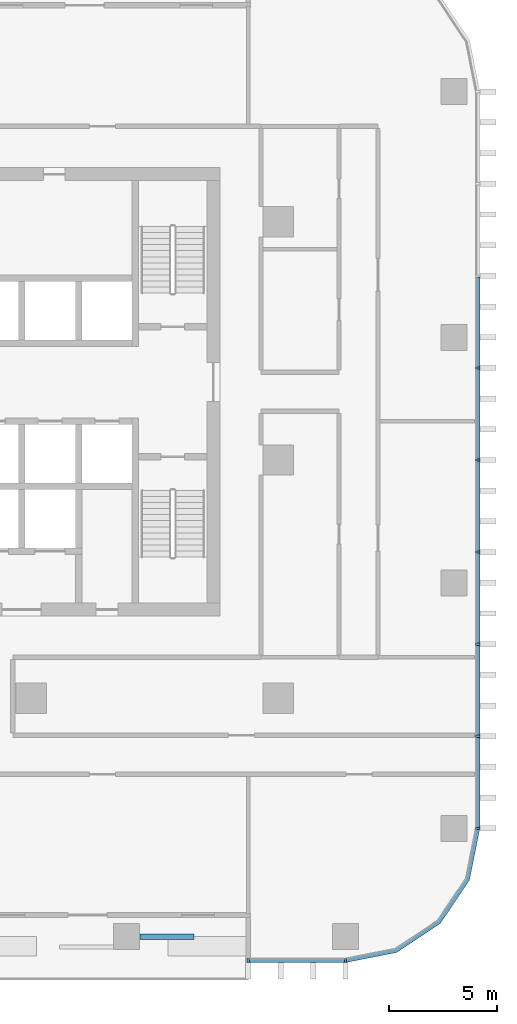
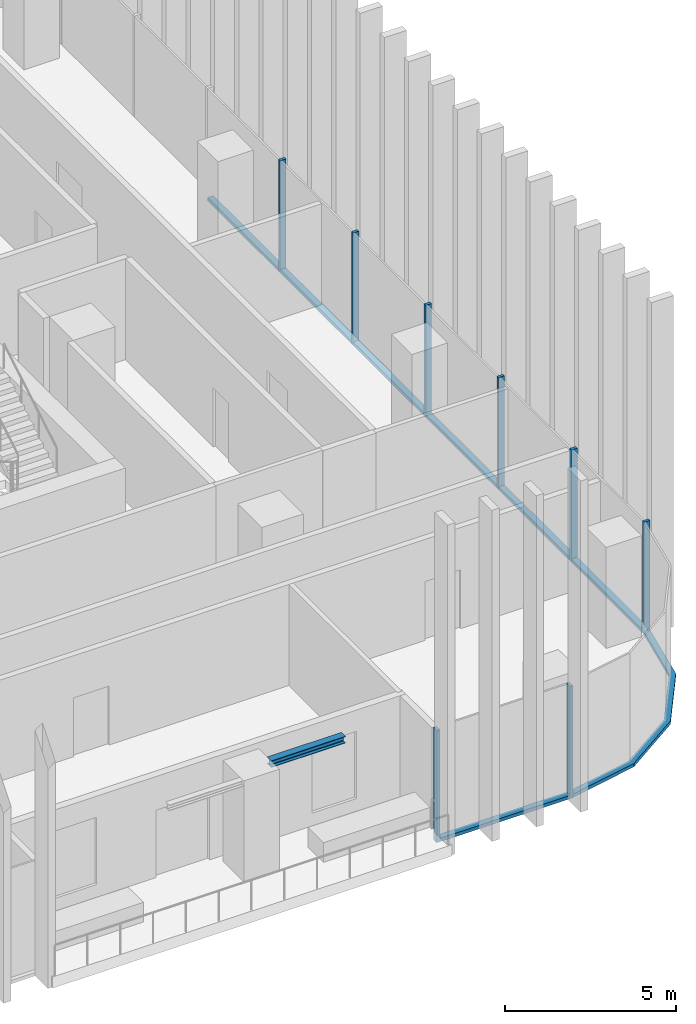
# One storey, part 3 of 16: 16 members, 1 beam, 3 elements without a shape of their own.
"""IFC4 building model written with IfcOpenShell, lengths in metres."""

import ifcopenshell
import ifcopenshell.guid

model = None  # the IFC model being written
_history = None  # IfcOwnerHistory: only IFC2X3 demands one
_inside = {}  # id of a spatial element -> (the spatial element, [elements in it])
_under = {}  # id of a project, library or spatial element -> (it, [spatial elements below it])
_declared = {}  # id of a project -> (the project, [libraries it declares])
_typed = {}  # id of a type object -> (the type object, [elements of that type])
_made_of = {}  # id of a material, layer set ... -> (it, [elements and type objects made of it])


def new_model(schema):
    """Start an empty IFC model of exactly this schema.

    Asked for "IFC4X3", IfcOpenShell would pick the latest addendum, in which some entities
    have other attributes; the version numbers below select the first issue.
    IFC2X3 requires an IfcOwnerHistory on every rooted entity: one is made here for all.
    """
    global model, _history
    if schema == "IFC4X3":
        model = ifcopenshell.file(schema_version=(4, 3, 0, 0))
    else:
        model = ifcopenshell.file(schema=schema)
    _inside.clear()
    _under.clear()
    _declared.clear()
    _typed.clear()
    _made_of.clear()
    _history = None
    if model.schema == "IFC2X3":
        org = make("IfcOrganization", Name="unknown")
        user = make(
            "IfcPersonAndOrganization",
            ThePerson=make("IfcPerson", FamilyName="unknown"),
            TheOrganization=org,
        )
        app = make(
            "IfcApplication",
            ApplicationDeveloper=org,
            Version="unknown",
            ApplicationFullName="unknown",
            ApplicationIdentifier="unknown",
        )
        _history = make(
            "IfcOwnerHistory",
            OwningUser=user,
            OwningApplication=app,
            ChangeAction="ADDED",
            CreationDate=0,
        )
    return model


def make(cls, **values):
    """One entity of the class cls with the attributes given. An attribute that is None is left unset."""
    return model.create_entity(
        cls, **{name: value for name, value in values.items() if value is not None}
    )


def rooted(cls, **values):
    """An entity with a GlobalId (a new one), such as an element, a storey or a relation."""
    return make(cls, GlobalId=ifcopenshell.guid.new(), OwnerHistory=_history, **values)


def si_unit(unit_type, name, prefix=None):
    """IfcSIUnit, for example si_unit("LENGTHUNIT", "METRE", prefix="MILLI")."""
    return make("IfcSIUnit", UnitType=unit_type, Prefix=prefix, Name=name)


def assignment(units):
    """IfcUnitAssignment: the units of a project."""
    return None if units is None else make("IfcUnitAssignment", Units=units)


def point(xyz):
    """IfcCartesianPoint."""
    return None if xyz is None else make("IfcCartesianPoint", Coordinates=xyz)


def direction(xyz):
    """IfcDirection."""
    return None if xyz is None else make("IfcDirection", DirectionRatios=xyz)


def frame(location, z_axis=None, x_axis=None):
    """IfcAxis2Placement3D, a coordinate frame: its origin and axes. An axis left out is left unset."""
    return make(
        "IfcAxis2Placement3D",
        Location=point(location),
        Axis=direction(z_axis),
        RefDirection=direction(x_axis),
    )


def frame_2d(location, x_axis=None):
    """IfcAxis2Placement2D, a coordinate frame in the plane: its origin and x axis."""
    return make(
        "IfcAxis2Placement2D", Location=point(location), RefDirection=direction(x_axis)
    )


def origin():
    """The frame at (0, 0, 0) with its axes left unset."""
    return frame((0.0, 0.0, 0.0))


def origin_2d():
    """The frame at (0, 0) in the plane with its x axis left unset."""
    return frame_2d((0.0, 0.0))


def place(relative_to, where):
    """IfcLocalPlacement: puts the frame where relative to a parent placement (None: the world)."""
    return make(
        "IfcLocalPlacement", PlacementRelTo=relative_to, RelativePlacement=where
    )


def context(
    kind, dimensions, precision=None, world=None, true_north=None, identifier=None
):
    """IfcGeometricRepresentationContext, for example the 3D "Model" context."""
    return make(
        "IfcGeometricRepresentationContext",
        ContextIdentifier=identifier,
        ContextType=kind,
        CoordinateSpaceDimension=dimensions,
        Precision=precision,
        WorldCoordinateSystem=world,
        TrueNorth=true_north,
    )


def subcontext(parent, identifier, kind, view, scale=None):
    """IfcGeometricRepresentationSubContext, for example "Body" below "Model"."""
    return make(
        "IfcGeometricRepresentationSubContext",
        ContextIdentifier=identifier,
        ContextType=kind,
        ParentContext=parent,
        TargetScale=scale,
        TargetView=view,
    )


def project(units=None, contexts=None):
    """IfcProject with its units and contexts."""
    return rooted(
        "IfcProject",
        Name="project",
        RepresentationContexts=contexts,
        UnitsInContext=assignment(units),
    )


def spatial(cls, under=None, at=None, **own):
    """A site, building, storey or space (cls), placed at a placement, below another one or the project."""
    s = rooted(cls, ObjectPlacement=at, **own)
    if under is not None:
        _under.setdefault(under.id(), (under, []))[1].append(s)
    return s


def polyline(points):
    """IfcPolyline through the points."""
    return make("IfcPolyline", Points=[point(p) for p in points])


def profile(cls, at=None, kind="AREA", **sizes):
    """A parametric profile (cls). Its sizes go by their IFC names, for example OverallWidth=200.0."""
    return make(cls, ProfileType=kind, Position=at, **sizes)


def rectangle(**sizes):
    """IfcRectangleProfileDef."""
    return profile("IfcRectangleProfileDef", **sizes)


def i_section(**sizes):
    """IfcIShapeProfileDef."""
    return profile("IfcIShapeProfileDef", **sizes)


def outline(outer, holes=None, kind="AREA"):
    """IfcArbitraryClosedProfileDef: a profile drawn as a closed curve; with holes, ...WithVoids."""
    if holes is None:
        return make("IfcArbitraryClosedProfileDef", ProfileType=kind, OuterCurve=outer)
    return make(
        "IfcArbitraryProfileDefWithVoids",
        ProfileType=kind,
        OuterCurve=outer,
        InnerCurves=holes,
    )


def extrude(swept, where, along, depth):
    """IfcExtrudedAreaSolid: the profile swept, set in the frame where, extruded along a direction by depth."""
    return make(
        "IfcExtrudedAreaSolid",
        SweptArea=swept,
        Position=where,
        ExtrudedDirection=direction(along),
        Depth=depth,
    )


def shape(context_of_items, identifier, shape_type, items):
    """IfcShapeRepresentation: the items that make up one representation, for example the "Body"."""
    return make(
        "IfcShapeRepresentation",
        ContextOfItems=context_of_items,
        RepresentationIdentifier=identifier,
        RepresentationType=shape_type,
        Items=items,
    )


def material(Name=None, Category=None):
    """IfcMaterial."""
    return make("IfcMaterial", Name=Name, Category=Category)


def material_profile(
    of_material, cross_section, Name=None, Category=None, Priority=None
):
    """IfcMaterialProfile: a cross section and its material."""
    return make(
        "IfcMaterialProfile",
        Name=Name,
        Material=of_material,
        Profile=cross_section,
        Priority=Priority,
        Category=Category,
    )


def profile_set(profiles, Name=None, composite=None):
    """IfcMaterialProfileSet."""
    return make(
        "IfcMaterialProfileSet",
        Name=Name,
        MaterialProfiles=profiles,
        CompositeProfile=composite,
    )


def made_of(thing, what):
    """Note that an element or type object is made of a material, layer set ...; save() writes the relation."""
    if what is not None:
        _made_of.setdefault(what.id(), (what, []))[1].append(thing)
    return thing


def type_object(cls, material=None, **own):
    """A type object (cls), such as IfcWallType, which elements share."""
    return made_of(rooted(cls, **own), material)


def element(
    cls,
    number,
    at=None,
    inside=None,
    cuts=None,
    type_object=None,
    material=None,
    context=None,
    identifier="Body",
    shape_type=None,
    held_by="IfcProductDefinitionShape",
    body=None,
    shapes=None,
    **own,
):
    """One element of the class cls, such as IfcWall. Its Tag is "e" and its number.

    at: its placement. inside: the storey or other place that contains it. cuts: it is an
    opening in that element (IfcRelVoidsElement). A single representation is given by context,
    identifier, shape_type and body (its items); several are given by shapes. held_by: the class
    of the entity that holds the representations. save() writes the other relations.
    """
    e = rooted(cls, Tag="e%d" % number, ObjectPlacement=at, **own)
    if body is not None:
        shapes = [shape(context, identifier, shape_type, body)]
    if shapes is not None:
        e.Representation = make(held_by, Representations=shapes)
    if inside is not None:
        _inside.setdefault(inside.id(), (inside, []))[1].append(e)
    if cuts is not None:
        rooted(
            "IfcRelVoidsElement", RelatingBuildingElement=cuts, RelatedOpeningElement=e
        )
    if type_object is not None:
        _typed.setdefault(type_object.id(), (type_object, []))[1].append(e)
    return made_of(e, material)


def aggregate(whole, parts):
    """IfcRelAggregates: a whole, such as a stair, and the parts it consists of."""
    return rooted("IfcRelAggregates", RelatingObject=whole, RelatedObjects=parts)


def save(model, path):
    """Write the relations noted so far, then the file.

    IfcRelAggregates (storeys below a building ...), IfcRelContainedInSpatialStructure (elements
    in a storey), IfcRelDefinesByType, IfcRelAssociatesMaterial and IfcRelDeclares: one each for
    every whole, place, type object, material and project.
    """
    for whole, parts in _under.values():
        aggregate(whole, parts)
    for where, things in _inside.values():
        rooted(
            "IfcRelContainedInSpatialStructure",
            RelatedElements=things,
            RelatingStructure=where,
        )
    for kind, things in _typed.values():
        rooted("IfcRelDefinesByType", RelatedObjects=things, RelatingType=kind)
    for what, things in _made_of.values():
        rooted("IfcRelAssociatesMaterial", RelatedObjects=things, RelatingMaterial=what)
    for by, libraries in _declared.values():
        rooted("IfcRelDeclares", RelatingContext=by, RelatedDefinitions=libraries)
    model.write(path)


model = new_model("IFC4")

# Units and contexts
model_context = context("Model", 3, precision=1e-05, world=origin(), true_north=direction((0.0, 1.0)))
body_context = subcontext(model_context, "Body", "Model", "MODEL_VIEW")
ifc_project = project(units=[si_unit("LENGTHUNIT", "METRE"), si_unit("AREAUNIT", "SQUARE_METRE"), si_unit("VOLUMEUNIT", "CUBIC_METRE"), si_unit("PLANEANGLEUNIT", "RADIAN"), si_unit("MASSUNIT", "GRAM", prefix="KILO")], contexts=[model_context])

# Site, building, storey
site_placement = place(None, origin())
site = spatial("IfcSite", under=ifc_project, at=site_placement, CompositionType="ELEMENT")
building_placement = place(site_placement, origin())
building = spatial("IfcBuilding", under=site, at=building_placement, Name="Mopane Tessera Tower", CompositionType="ELEMENT")
storey_placement = place(building_placement, frame((0.0, 0.0, 193.0)))
storey = spatial("IfcBuildingStorey", under=building, at=storey_placement, Name="L40", CompositionType="ELEMENT", Elevation=193.0)

# Curtain wall, members
ifc_material_1 = material(Name="Aluminium frame", Category="aluminium")
curtain_wall_type = type_object("IfcCurtainWallType", Name="Unitised curtain wall", PredefinedType="NOTDEFINED", material=ifc_material_1)
curtain_wall_1_placement = place(storey_placement, origin())
curtain_wall_1 = element("IfcCurtainWall", 1, at=curtain_wall_1_placement, inside=storey, type_object=curtain_wall_type, Name="e:cw:L40:S:8", PredefinedType="NOTDEFINED")
ifc_material_2 = material(Name="Aluminium frame", Category="aluminium")
ifc_material_profile_1 = material_profile(ifc_material_2, rectangle(XDim=0.10009765625, YDim=0.199951171875, at=origin_2d()))
ifc_profile_set_1 = profile_set([ifc_material_profile_1], Name="Aluminium frame")
member_type_1 = type_object("IfcMemberType", Name="Aluminium mullion 100 x 200", PredefinedType="MULLION", material=ifc_profile_set_1)
member_1_placement = place(storey_placement, frame((15.711181640625, -23.10009765625, -0.39990234375), z_axis=(0.0, 0.0, 1.0), x_axis=(1.0, 0.0, 0.0)))
member_1 = element("IfcMember", 2, at=member_1_placement, type_object=member_type_1, Name="e:cw:L40:S:8:mu8", PredefinedType="MULLION", context=body_context, shape_type="SweptSolid", body=[
    extrude(rectangle(XDim=0.10009765625, YDim=0.199951171875, at=origin_2d()), origin(), (0.0, 0.0, 1.0), 4.0),
])
member_2_placement = place(storey_placement, frame((20.199951171875, -23.10009765625, -0.39990234375), z_axis=(0.0, 0.0, 1.0), x_axis=(1.0, 0.0, 0.0)))
member_2 = element("IfcMember", 3, at=member_2_placement, type_object=member_type_1, Name="e:cw:L40:S:8:mu9", PredefinedType="MULLION", context=body_context, shape_type="SweptSolid", body=[
    extrude(rectangle(XDim=0.10009765625, YDim=0.199951171875, at=origin_2d()), origin(), (0.0, 0.0, 1.0), 4.0),
])

curtain_wall_2_placement = place(storey_placement, origin())
curtain_wall_2 = element("IfcCurtainWall", 4, at=curtain_wall_2_placement, inside=storey, type_object=curtain_wall_type, Name="e:cw:L40:E:0", PredefinedType="NOTDEFINED")
member_3_placement = place(storey_placement, frame((26.300048828125, -17.0, -0.39990234375), z_axis=(0.0, 0.0, 1.0), x_axis=(0.0, 1.0, 0.0)))
member_3 = element("IfcMember", 5, at=member_3_placement, type_object=member_type_1, Name="e:cw:L40:E:0:mu0", PredefinedType="MULLION", context=body_context, shape_type="SweptSolid", body=[
    extrude(rectangle(XDim=0.10009765625, YDim=0.199951171875, at=origin_2d()), origin(), (0.0, 0.0, 1.0), 4.0),
])
member_4_placement = place(storey_placement, frame((26.300048828125, -12.75, -0.39990234375), z_axis=(0.0, 0.0, 1.0), x_axis=(0.0, 1.0, 0.0)))
member_4 = element("IfcMember", 6, at=member_4_placement, type_object=member_type_1, Name="e:cw:L40:E:0:mu1", PredefinedType="MULLION", context=body_context, shape_type="SweptSolid", body=[
    extrude(rectangle(XDim=0.10009765625, YDim=0.199951171875, at=origin_2d()), origin(), (0.0, 0.0, 1.0), 4.0),
])
member_5_placement = place(storey_placement, frame((26.300048828125, -8.5, -0.39990234375), z_axis=(0.0, 0.0, 1.0), x_axis=(0.0, 1.0, 0.0)))
member_5 = element("IfcMember", 7, at=member_5_placement, type_object=member_type_1, Name="e:cw:L40:E:0:mu2", PredefinedType="MULLION", context=body_context, shape_type="SweptSolid", body=[
    extrude(rectangle(XDim=0.10009765625, YDim=0.199951171875, at=origin_2d()), origin(), (0.0, 0.0, 1.0), 4.0),
])
member_6_placement = place(storey_placement, frame((26.300048828125, -4.25, -0.39990234375), z_axis=(0.0, 0.0, 1.0), x_axis=(0.0, 1.0, 0.0)))
member_6 = element("IfcMember", 8, at=member_6_placement, type_object=member_type_1, Name="e:cw:L40:E:0:mu3", PredefinedType="MULLION", context=body_context, shape_type="SweptSolid", body=[
    extrude(rectangle(XDim=0.10009765625, YDim=0.199951171875, at=origin_2d()), origin(), (0.0, 0.0, 1.0), 4.0),
])
member_7_placement = place(storey_placement, frame((26.300048828125, 0.0, -0.39990234375), z_axis=(0.0, 0.0, 1.0), x_axis=(0.0, 1.0, 0.0)))
member_7 = element("IfcMember", 9, at=member_7_placement, type_object=member_type_1, Name="e:cw:L40:E:0:mu4", PredefinedType="MULLION", context=body_context, shape_type="SweptSolid", body=[
    extrude(rectangle(XDim=0.10009765625, YDim=0.199951171875, at=origin_2d()), origin(), (0.0, 0.0, 1.0), 4.0),
])
member_8_placement = place(storey_placement, frame((26.300048828125, 4.25, -0.39990234375), z_axis=(0.0, 0.0, 1.0), x_axis=(0.0, 1.0, 0.0)))
member_8 = element("IfcMember", 10, at=member_8_placement, type_object=member_type_1, Name="e:cw:L40:E:0:mu5", PredefinedType="MULLION", context=body_context, shape_type="SweptSolid", body=[
    extrude(rectangle(XDim=0.10009765625, YDim=0.199951171875, at=origin_2d()), origin(), (0.0, 0.0, 1.0), 4.0),
])

# Member
ifc_material_3 = material(Name="Aluminium frame", Category="aluminium")
ifc_material_profile_2 = material_profile(ifc_material_3, rectangle(XDim=0.199951171875, YDim=0.1201171875, at=origin_2d()))
ifc_profile_set_2 = profile_set([ifc_material_profile_2], Name="Aluminium frame")
member_type_2 = type_object("IfcMemberType", Name="Aluminium transom 200 x 120", PredefinedType="USERDEFINED", material=ifc_profile_set_2)
member_9_placement = place(storey_placement, frame((15.76123046875, -23.10009765625, -0.340087890625), z_axis=(1.0, 0.0, 0.0), x_axis=(0.0, 1.0, 0.0)))
member_9 = element("IfcMember", 11, at=member_9_placement, type_object=member_type_2, Name="e:cw:L40:S:8:tr8", ObjectType="TRANSOM", PredefinedType="USERDEFINED", context=body_context, shape_type="SweptSolid", body=[
    extrude(rectangle(XDim=0.199951171875, YDim=0.1201171875, at=origin_2d()), origin(), (0.0, 0.0, 1.0), 4.388671875),
])

aggregate(curtain_wall_1, [member_1, member_2, member_9])

# Curtain wall, member
curtain_wall_3_placement = place(storey_placement, origin())
curtain_wall_3 = element("IfcCurtainWall", 12, at=curtain_wall_3_placement, inside=storey, type_object=curtain_wall_type, Name="e:cw:L40:CS", PredefinedType="NOTDEFINED")
member_10_placement = place(storey_placement, frame((0.0, 0.0, -0.39990234375)))
member_10 = element("IfcMember", 13, at=member_10_placement, type_object=member_type_2, Name="e:cw:L40:CS:tr", ObjectType="TRANSOM", PredefinedType="USERDEFINED", context=body_context, shape_type="SweptSolid", body=[
    extrude(outline(polyline([(20.199951171875, -23.0), (22.49609375, -22.543212890625), (24.442626953125, -21.24267578125), (25.7431640625, -19.296142578125), (26.199951171875, -17.0), (26.39990234375, -17.0), (25.927978515625, -19.37255859375), (24.583984375, -21.384033203125), (22.57275390625, -22.72802734375), (20.199951171875, -23.199951171875), (20.199951171875, -23.0)])), origin(), (0.0, 0.0, 1.0), 0.119873046875),
])
aggregate(curtain_wall_3, [member_10])

# Member
member_11_placement = place(storey_placement, frame((26.300048828125, -16.949951171875, -0.340087890625), z_axis=(0.0, 1.0, 0.0), x_axis=(-1.0, 0.0, 0.0)))
member_11 = element("IfcMember", 14, at=member_11_placement, type_object=member_type_2, Name="e:cw:L40:E:0:tr0", ObjectType="TRANSOM", PredefinedType="USERDEFINED", context=body_context, shape_type="SweptSolid", body=[
    extrude(rectangle(XDim=0.199951171875, YDim=0.1201171875, at=origin_2d()), origin(), (0.0, 0.0, 1.0), 4.14990234375),
])

member_12_placement = place(storey_placement, frame((26.300048828125, -12.699951171875, -0.340087890625), z_axis=(0.0, 1.0, 0.0), x_axis=(-1.0, 0.0, 0.0)))
member_12 = element("IfcMember", 15, at=member_12_placement, type_object=member_type_2, Name="e:cw:L40:E:0:tr1", ObjectType="TRANSOM", PredefinedType="USERDEFINED", context=body_context, shape_type="SweptSolid", body=[
    extrude(rectangle(XDim=0.199951171875, YDim=0.1201171875, at=origin_2d()), origin(), (0.0, 0.0, 1.0), 4.14990234375),
])

member_13_placement = place(storey_placement, frame((26.300048828125, -8.449951171875, -0.340087890625), z_axis=(0.0, 1.0, 0.0), x_axis=(-1.0, 0.0, 0.0)))
member_13 = element("IfcMember", 16, at=member_13_placement, type_object=member_type_2, Name="e:cw:L40:E:0:tr2", ObjectType="TRANSOM", PredefinedType="USERDEFINED", context=body_context, shape_type="SweptSolid", body=[
    extrude(rectangle(XDim=0.199951171875, YDim=0.1201171875, at=origin_2d()), origin(), (0.0, 0.0, 1.0), 4.14990234375),
])

member_14_placement = place(storey_placement, frame((26.300048828125, -4.199951171875, -0.340087890625), z_axis=(0.0, 1.0, 0.0), x_axis=(-1.0, 0.0, 0.0)))
member_14 = element("IfcMember", 17, at=member_14_placement, type_object=member_type_2, Name="e:cw:L40:E:0:tr3", ObjectType="TRANSOM", PredefinedType="USERDEFINED", context=body_context, shape_type="SweptSolid", body=[
    extrude(rectangle(XDim=0.199951171875, YDim=0.1201171875, at=origin_2d()), origin(), (0.0, 0.0, 1.0), 4.14990234375),
])

member_15_placement = place(storey_placement, frame((26.300048828125, 0.050048828125, -0.340087890625), z_axis=(0.0, 1.0, 0.0), x_axis=(-1.0, 0.0, 0.0)))
member_15 = element("IfcMember", 18, at=member_15_placement, type_object=member_type_2, Name="e:cw:L40:E:0:tr4", ObjectType="TRANSOM", PredefinedType="USERDEFINED", context=body_context, shape_type="SweptSolid", body=[
    extrude(rectangle(XDim=0.199951171875, YDim=0.1201171875, at=origin_2d()), origin(), (0.0, 0.0, 1.0), 4.14990234375),
])

member_16_placement = place(storey_placement, frame((26.300048828125, 4.300048828125, -0.340087890625), z_axis=(0.0, 1.0, 0.0), x_axis=(-1.0, 0.0, 0.0)))
member_16 = element("IfcMember", 19, at=member_16_placement, type_object=member_type_2, Name="e:cw:L40:E:0:tr5", ObjectType="TRANSOM", PredefinedType="USERDEFINED", context=body_context, shape_type="SweptSolid", body=[
    extrude(rectangle(XDim=0.199951171875, YDim=0.1201171875, at=origin_2d()), origin(), (0.0, 0.0, 1.0), 4.14990234375),
])

aggregate(curtain_wall_2, [member_3, member_4, member_5, member_6, member_7, member_8, member_11, member_12, member_13, member_14, member_15, member_16])

# Beam
ifc_material_4 = material(Name="Structural steel S460", Category="steel")
ifc_material_profile_3 = material_profile(ifc_material_4, i_section(OverallWidth=0.239990234375, OverallDepth=0.239990234375, WebThickness=0.010009765625, FlangeThickness=0.01708984375, FilletRadius=0.02099609375, at=origin_2d()))
ifc_profile_set_3 = profile_set([ifc_material_profile_3], Name="Structural steel S460")
beam_type = type_object("IfcBeamType", Name="Terrace spandrel beam HE 240 B", PredefinedType="SPANDREL", material=ifc_profile_set_3)
beam_placement = place(storey_placement, frame((10.703125, -22.0, 3.47998046875), z_axis=(1.0, 0.0, 0.0), x_axis=(0.0, 1.0, 0.0)))
element("IfcBeam", 20, at=beam_placement, inside=storey, type_object=beam_type, Name="Terrace spandrel beam N2 L41", PredefinedType="SPANDREL", context=body_context, shape_type="SweptSolid", body=[
    extrude(i_section(OverallWidth=0.239990234375, OverallDepth=0.239990234375, WebThickness=0.010009765625, FlangeThickness=0.01708984375, FilletRadius=0.02099609375, at=origin_2d()), origin(), (0.0, 0.0, 1.0), 2.5),
])

save(model, "model.ifc")
